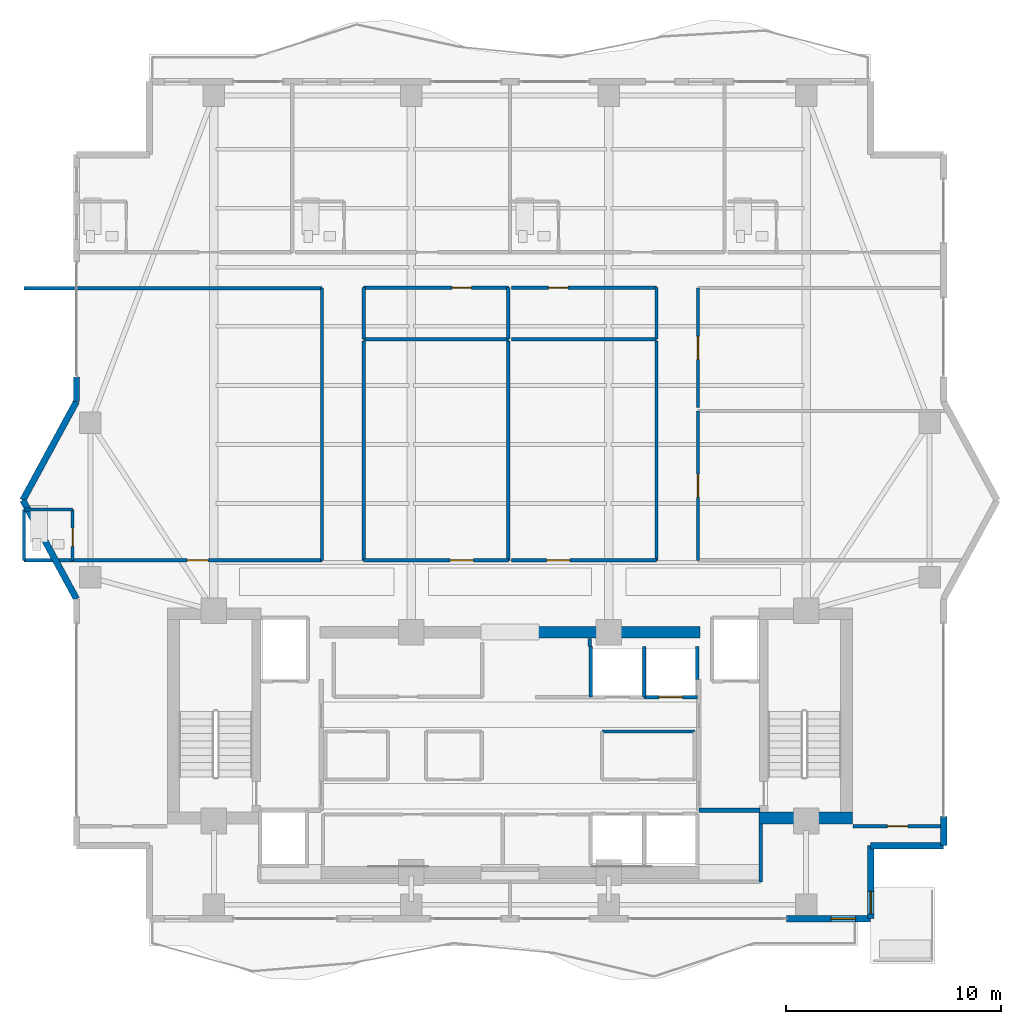
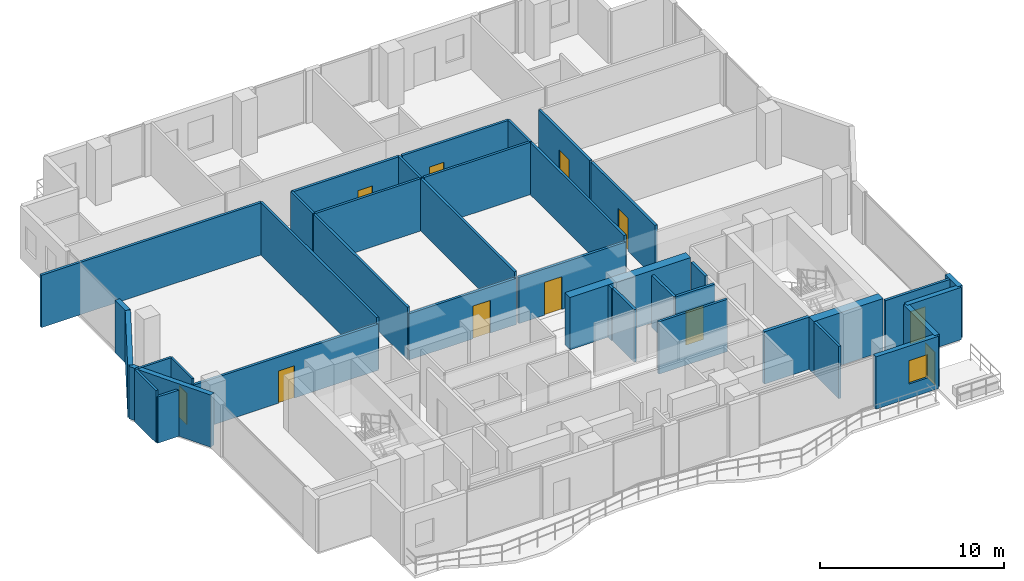
# One storey, part 20 of 25: 38 walls, 11 doors, 1 window, 12 openings.
"""IFC4 building model written with IfcOpenShell, lengths in metres."""

from ifc_helpers import new_model, si_unit, direction, frame, frame_2d, origin, place, context, subcontext, project, spatial, rectangle, extrude, material, layer, layer_set, type_object, element, fill, save


model = new_model("IFC4")

# Units and contexts
model_context = context("Model", 3, precision=1e-05, world=origin(), true_north=direction((0.0, 1.0)))
body_context = subcontext(model_context, "Body", "Model", "MODEL_VIEW")
ifc_project = project(units=[si_unit("LENGTHUNIT", "METRE"), si_unit("AREAUNIT", "SQUARE_METRE"), si_unit("VOLUMEUNIT", "CUBIC_METRE"), si_unit("PLANEANGLEUNIT", "RADIAN"), si_unit("MASSUNIT", "GRAM", prefix="KILO")], contexts=[model_context])

# Site, building, storey
site_placement = place(None, origin())
site = spatial("IfcSite", under=ifc_project, at=site_placement, CompositionType="ELEMENT")
building_placement = place(site_placement, origin())
building = spatial("IfcBuilding", under=site, at=building_placement, Name="Zuhayl Quay Hotel", CompositionType="ELEMENT")
storey_placement = place(building_placement, frame((0.0, 0.0, 258.14990234375)))
storey = spatial("IfcBuildingStorey", under=building, at=storey_placement, Name="L65", CompositionType="ELEMENT", Elevation=258.14990234375)

# Walls
ifc_material_1 = material(Name="Concrete C50/60", Category="concrete")
ifc_layer_1 = layer(ifc_material_1, 0.550048828125, Name="Concrete C50/60", Category="concrete")
ifc_layer_set_1 = layer_set([ifc_layer_1], Name="Concrete C50/60")
wall_type_1 = type_object("IfcWallType", Name="WL_CORE_550", PredefinedType="SHEAR", material=ifc_layer_set_1)
wall_1_placement = place(storey_placement, frame((11.60009765625, 4.695068359375, 0.0), z_axis=(0.0, 0.0, 1.0), x_axis=(1.0, 0.0, 0.0)))
element("IfcWall", 1, at=wall_1_placement, inside=storey, type_object=wall_type_1, Name="L65 Core Shear Wall CW_SE", PredefinedType="SHEAR", context=body_context, shape_type="SweptSolid", body=[
    extrude(rectangle(XDim=4.35986328125, YDim=0.550048828125, at=frame_2d((2.179931640625, 0.0))), origin(), (0.0, 0.0, 1.0), 3.510009765625),
])
wall_2_placement = place(storey_placement, frame((1.25, 13.35009765625, 0.0), z_axis=(0.0, 0.0, 1.0), x_axis=(1.0, 0.0, 0.0)))
element("IfcWall", 2, at=wall_2_placement, inside=storey, type_object=wall_type_1, Name="L65 Core Shear Wall CW_NC_E", PredefinedType="SHEAR", context=body_context, shape_type="SweptSolid", body=[
    extrude(rectangle(XDim=7.60009765625, YDim=0.550048828125, at=frame_2d((3.800048828125, 0.0))), origin(), (0.0, 0.0, 1.0), 3.47998046875),
])
ifc_material_2 = material(Name="Precast concrete C45/55", Category="concrete")
ifc_layer_2 = layer(ifc_material_2, 0.300048828125, Name="Precast concrete C45/55", Category="concrete")
ifc_layer_set_2 = layer_set([ifc_layer_2], Name="Precast concrete C45/55")
wall_type_2 = type_object("IfcWallType", Name="WL_EXT_300", PredefinedType="STANDARD", material=ifc_layer_set_2)
for number, where, z_axis, x_axis, name in (
    (3, (-20.199951171875, 14.89990234375, 0.0), (0.0, 0.0, 1.0), (-0.477505494629, 0.878628762675, 0.0), "L65 Exterior Precast Wall ENV_L65_EW03"),
    (4, (-22.699951171875, 19.5, 0.0), (0.0, 0.0, 1.0), (0.477505494629, 0.878628762675, 0.0), "L65 Exterior Precast Wall ENV_L65_EW04"),
):
    element("IfcWall", number, at=place(storey_placement, frame(where, z_axis=z_axis, x_axis=x_axis)), inside=storey, type_object=wall_type_2, Name=name, PredefinedType="STANDARD", context=body_context, shape_type="SweptSolid", body=[
        extrude(rectangle(XDim=5.235595703125, YDim=0.300048828125, at=frame_2d((2.61767578125, 0.0))), origin(), (0.0, 0.0, 1.0), 3.47998046875),
    ])
wall_3_placement = place(storey_placement, frame((-20.199951171875, 24.10009765625, 0.0), z_axis=(0.0, 0.0, 1.0), x_axis=(0.0, 1.0, 0.0)))
element("IfcWall", 5, at=wall_3_placement, inside=storey, type_object=wall_type_2, Name="L65 Exterior Precast Wall ENV_L65_E05_EW1", PredefinedType="STANDARD", context=body_context, shape_type="SweptSolid", body=[
    extrude(rectangle(XDim=1.14990234375, YDim=0.300048828125, at=frame_2d((0.574951171875, 0.0))), origin(), (0.0, 0.0, 1.0), 3.47998046875),
])
wall_4_placement = place(storey_placement, frame((20.199951171875, 4.75, 0.0), z_axis=(0.0, 0.0, 1.0), x_axis=(0.0, -1.0, 0.0)))
element("IfcWall", 6, at=wall_4_placement, inside=storey, type_object=wall_type_2, Name="L65 Exterior Precast Wall ENV_L65_E14_EW2", PredefinedType="STANDARD", context=body_context, shape_type="SweptSolid", body=[
    extrude(rectangle(XDim=1.35009765625, YDim=0.300048828125, at=frame_2d((0.675048828125, 0.0))), origin(), (0.0, 0.0, 1.0), 3.47998046875),
])
wall_5_placement = place(storey_placement, frame((20.199951171875, 3.39990234375, 0.0), z_axis=(0.0, 0.0, 1.0), x_axis=(-1.0, 0.0, 0.0)))
element("IfcWall", 7, at=wall_5_placement, inside=storey, type_object=wall_type_2, Name="L65 Exterior Precast Wall ENV_L65_EW15", PredefinedType="STANDARD", context=body_context, shape_type="SweptSolid", body=[
    extrude(rectangle(XDim=3.39990234375, YDim=0.300048828125, at=frame_2d((1.699951171875, 0.0))), origin(), (0.0, 0.0, 1.0), 3.47998046875),
])

# Wall, opening, door
wall_6_placement = place(storey_placement, frame((16.800048828125, 3.39990234375, 0.0), z_axis=(0.0, 0.0, 1.0), x_axis=(0.0, -1.0, 0.0)))
wall_6 = element("IfcWall", 8, at=wall_6_placement, inside=storey, type_object=wall_type_2, Name="L65 Exterior Precast Wall ENV_L65_SP_SE", PredefinedType="STANDARD", context=body_context, shape_type="SweptSolid", body=[
    extrude(rectangle(XDim=3.39990234375, YDim=0.300048828125, at=frame_2d((1.699951171875, 0.0))), origin(), (0.0, 0.0, 1.0), 3.47998046875),
])
opening_1_placement = place(wall_6_placement, frame((2.1298828125, 0.0, 0.0)))
opening_1 = element("IfcOpeningElement", 9, at=opening_1_placement, cuts=wall_6, Name="Opening DG1", PredefinedType="OPENING", context=body_context, shape_type="SweptSolid", body=[
    extrude(rectangle(XDim=1.050048828125, YDim=2.199951171875, at=frame_2d((0.52490234375, 1.10009765625))), frame((0.0, 0.159912109375, 0.0), z_axis=(0.0, -1.0, 0.0), x_axis=(1.0, 0.0, 0.0)), (0.0, 0.0, 1.0), 0.320068359375),
])
ifc_material_3 = material(Name="Anodised Aluminium and Dark Solar Glass", Category="aluminium")
door_type_1 = type_object("IfcDoorType", Name="DR_EXT_TERR_1050", OperationType="NOTDEFINED", PredefinedType="DOOR", material=ifc_material_3)
door_1_placement = place(opening_1_placement, origin())
door_1 = element("IfcDoor", 10, at=door_1_placement, inside=storey, type_object=door_type_1, Name="L65 Spiral Sky-Terrace SE Access Door", OperationType="SINGLE_SWING_LEFT", OverallHeight=2.199951171875, OverallWidth=1.050048828125, PredefinedType="DOOR", context=body_context, shape_type="SweptSolid", body=[
    extrude(rectangle(XDim=1.050048828125, YDim=2.199951171875, at=frame_2d((0.52490234375, 1.10009765625))), frame((0.0, 0.02490234375, 0.0), z_axis=(0.0, -1.0, 0.0), x_axis=(1.0, 0.0, 0.0)), (0.0, 0.0, 1.0), 0.050048828125),
])
fill(opening_1, door_1)

# Wall, opening, window
wall_7_placement = place(storey_placement, frame((16.800048828125, 0.0, 0.0), z_axis=(0.0, 0.0, 1.0), x_axis=(-1.0, 0.0, 0.0)))
wall_7 = element("IfcWall", 11, at=wall_7_placement, inside=storey, type_object=wall_type_2, Name="L65 Exterior Precast Wall ENV_L65_S_EW1", PredefinedType="STANDARD", context=body_context, shape_type="SweptSolid", body=[
    extrude(rectangle(XDim=3.920166015625, YDim=0.300048828125, at=frame_2d((1.9599609375, 0.0))), origin(), (0.0, 0.0, 1.0), 3.47998046875),
])
opening_2_placement = place(wall_7_placement, frame((0.695068359375, 0.0, 0.949951171875)))
opening_2 = element("IfcOpeningElement", 12, at=opening_2_placement, cuts=wall_7, Name="Opening W01N", PredefinedType="OPENING", context=body_context, shape_type="SweptSolid", body=[
    extrude(rectangle(XDim=1.14990234375, YDim=1.550048828125, at=frame_2d((0.574951171875, 0.77490234375))), frame((0.0, 0.159912109375, 0.0), z_axis=(0.0, -1.0, 0.0), x_axis=(1.0, 0.0, 0.0)), (0.0, 0.0, 1.0), 0.320068359375),
])
ifc_material_4 = material(Name="Dark Ceramic-Fritted Solar Glass", Category="glass")
window_type = type_object("IfcWindowType", Name="WN_NOTCH_1350", PartitioningType="SINGLE_PANEL", PredefinedType="WINDOW", material=ifc_material_4)
window_placement = place(opening_2_placement, origin())
window = element("IfcWindow", 13, at=window_placement, inside=storey, type_object=window_type, Name="L65 Operable Facade Window 1-1", OverallHeight=1.550048828125, OverallWidth=1.14990234375, PartitioningType="SINGLE_PANEL", PredefinedType="WINDOW", context=body_context, shape_type="SweptSolid", body=[
    extrude(rectangle(XDim=1.14990234375, YDim=1.550048828125, at=frame_2d((0.574951171875, 0.77490234375))), frame((0.0, 0.030029296875, 0.0), z_axis=(0.0, -1.0, 0.0), x_axis=(1.0, 0.0, 0.0)), (0.0, 0.0, 1.0), 0.06005859375),
])
fill(opening_2, window)

# Walls
ifc_material_5 = material(Name="Acoustic Gypsum Partition STC-58")
ifc_layer_3 = layer(ifc_material_5, 0.14990234375, Name="Acoustic Gypsum Partition STC-58")
ifc_layer_set_3 = layer_set([ifc_layer_3], Name="Acoustic Gypsum Partition STC-58")
wall_type_3 = type_object("IfcWallType", Name="WL_PART_150", PredefinedType="PARTITIONING", material=ifc_layer_set_3)
wall_8_placement = place(storey_placement, frame((4.2900390625, 8.719970703125, 0.0), z_axis=(0.0, 0.0, 1.0), x_axis=(1.0, 0.0, 0.0)))
element("IfcWall", 14, at=wall_8_placement, inside=storey, type_object=wall_type_3, Name="L65 Partition IW_L65_CORE_VL_N", PredefinedType="PARTITIONING", context=body_context, shape_type="SweptSolid", body=[
    extrude(rectangle(XDim=4.320068359375, YDim=0.14990234375, at=frame_2d((2.16015625, 0.0))), origin(), (0.0, 0.0, 1.0), 3.47998046875),
])
wall_9_placement = place(storey_placement, frame((3.719970703125, 12.679931640625, 0.0), z_axis=(0.0, 0.0, 1.0), x_axis=(0.0, 1.0, 0.0)))
element("IfcWall", 15, at=wall_9_placement, inside=storey, type_object=wall_type_3, Name="L65 Partition IW_L65_VEST_MP4_E", PredefinedType="PARTITIONING", context=body_context, shape_type="SweptSolid", body=[
    extrude(rectangle(XDim=0.3701171875, YDim=0.14990234375, at=frame_2d((0.18505859375, 0.0))), origin(), (0.0, 0.0, 1.0), 3.47998046875),
])
wall_10_placement = place(storey_placement, frame((11.679931640625, 1.719970703125, 0.0), z_axis=(0.0, 0.0, 1.0), x_axis=(0.0, 1.0, 0.0)))
element("IfcWall", 16, at=wall_10_placement, inside=storey, type_object=wall_type_3, Name="L65 Partition IW_L65_Z4_SUN_SE_IN", PredefinedType="PARTITIONING", context=body_context, shape_type="SweptSolid", body=[
    extrude(rectangle(XDim=2.699951171875, YDim=0.14990234375, at=frame_2d((1.35009765625, 0.0))), origin(), (0.0, 0.0, 1.0), 3.47998046875),
])
wall_11_placement = place(storey_placement, frame((-6.820068359375, 27.0, 0.0), z_axis=(0.0, 0.0, 1.0), x_axis=(1.0, 0.0, 0.0)))
element("IfcWall", 17, at=wall_11_placement, inside=storey, type_object=wall_type_3, Name="L65 Partition IW_L65_HK_MAIN_S", PredefinedType="PARTITIONING", context=body_context, shape_type="SweptSolid", body=[
    extrude(rectangle(XDim=6.739990234375, YDim=0.14990234375, at=frame_2d((3.3701171875, 0.0))), origin(), (0.0, 0.0, 1.0), 3.47998046875),
])
for number, where, z_axis, x_axis, name in (
    (18, (-6.820068359375, 27.0, 0.0), (0.0, 0.0, 1.0), (0.0, 1.0, 0.0), "L65 Partition IW_L65_HK_MAIN_W"),
    (19, (-0.080078125, 27.0, 0.0), (0.0, 0.0, 1.0), (0.0, 1.0, 0.0), "L65 Partition IW_L65_HK_MAIN_E"),
):
    element("IfcWall", number, at=place(storey_placement, frame(where, z_axis=z_axis, x_axis=x_axis)), inside=storey, type_object=wall_type_3, Name=name, PredefinedType="PARTITIONING", context=body_context, shape_type="SweptSolid", body=[
        extrude(rectangle(XDim=2.39990234375, YDim=0.14990234375, at=frame_2d((1.199951171875, 0.0))), origin(), (0.0, 0.0, 1.0), 3.47998046875),
    ])
wall_12_placement = place(storey_placement, frame((0.080078125, 27.0, 0.0), z_axis=(0.0, 0.0, 1.0), x_axis=(1.0, 0.0, 0.0)))
element("IfcWall", 20, at=wall_12_placement, inside=storey, type_object=wall_type_3, Name="L65 Partition IW_L65_TEA_MAIN_S", PredefinedType="PARTITIONING", context=body_context, shape_type="SweptSolid", body=[
    extrude(rectangle(XDim=6.739990234375, YDim=0.14990234375, at=frame_2d((3.3701171875, 0.0))), origin(), (0.0, 0.0, 1.0), 3.47998046875),
])
wall_13_placement = place(storey_placement, frame((6.820068359375, 27.0, 0.0), z_axis=(0.0, 0.0, 1.0), x_axis=(0.0, 1.0, 0.0)))
element("IfcWall", 21, at=wall_13_placement, inside=storey, type_object=wall_type_3, Name="L65 Partition IW_L65_TEA_MAIN_E", PredefinedType="PARTITIONING", context=body_context, shape_type="SweptSolid", body=[
    extrude(rectangle(XDim=2.39990234375, YDim=0.14990234375, at=frame_2d((1.199951171875, 0.0))), origin(), (0.0, 0.0, 1.0), 3.47998046875),
])
for number, where, z_axis, x_axis, name in (
    (22, (-6.820068359375, 16.699951171875, 0.0), (0.0, 0.0, 1.0), (0.0, 1.0, 0.0), "L65 Partition IW_L65_Z4_C1_W"),
    (23, (-0.080078125, 16.699951171875, 0.0), (0.0, 0.0, 1.0), (0.0, 1.0, 0.0), "L65 Partition IW_L65_Z4_C1_E"),
    (24, (6.820068359375, 16.699951171875, 0.0), (0.0, 0.0, 1.0), (0.0, 1.0, 0.0), "L65 Partition IW_L65_Z4_C2_E"),
):
    element("IfcWall", number, at=place(storey_placement, frame(where, z_axis=z_axis, x_axis=x_axis)), inside=storey, type_object=wall_type_3, Name=name, PredefinedType="PARTITIONING", context=body_context, shape_type="SweptSolid", body=[
        extrude(rectangle(XDim=10.219970703125, YDim=0.14990234375, at=frame_2d((5.10986328125, 0.0))), origin(), (0.0, 0.0, 1.0), 3.47998046875),
    ])
wall_14_placement = place(storey_placement, frame((-8.760009765625, 16.699951171875, 0.0), z_axis=(0.0, 0.0, 1.0), x_axis=(0.0, 1.0, 0.0)))
element("IfcWall", 25, at=wall_14_placement, inside=storey, type_object=wall_type_3, Name="L65 Partition IW_L65_WU01_E", PredefinedType="PARTITIONING", context=body_context, shape_type="SweptSolid", body=[
    extrude(rectangle(XDim=12.679931640625, YDim=0.14990234375, at=frame_2d((6.33984375, 0.0))), origin(), (0.0, 0.0, 1.0), 3.47998046875),
])

# Wall, opening, door
ifc_layer_4 = layer(ifc_material_5, 0.159912109375, Name="Acoustic Gypsum Partition STC-58")
ifc_layer_set_4 = layer_set([ifc_layer_4], Name="Acoustic Gypsum Partition STC-58")
wall_type_4 = type_object("IfcWallType", Name="WL_PART_CORR_160", PredefinedType="PARTITIONING", material=ifc_layer_set_4)
wall_15_placement = place(storey_placement, frame((15.97998046875, 4.300048828125, 0.0), z_axis=(0.0, 0.0, 1.0), x_axis=(1.0, 0.0, 0.0)))
wall_15 = element("IfcWall", 26, at=wall_15_placement, inside=storey, type_object=wall_type_4, Name="L65 Partition IW_L65_Z4_SUN_SE_N", PredefinedType="PARTITIONING", context=body_context, shape_type="SweptSolid", body=[
    extrude(rectangle(XDim=4.159912109375, YDim=0.159912109375, at=frame_2d((2.080078125, 0.0))), origin(), (0.0, 0.0, 1.0), 3.47998046875),
])
opening_3_placement = place(wall_15_placement, frame((1.60498046875, 0.0, 0.0)))
opening_3 = element("IfcOpeningElement", 27, at=opening_3_placement, cuts=wall_15, Name="Opening D03", PredefinedType="OPENING", context=body_context, shape_type="SweptSolid", body=[
    extrude(rectangle(XDim=0.949951171875, YDim=2.14990234375, at=frame_2d((0.47509765625, 1.074951171875))), frame((0.0, 0.08984375, 0.0), z_axis=(0.0, -1.0, 0.0), x_axis=(1.0, 0.0, 0.0)), (0.0, 0.0, 1.0), 0.179931640625),
])
ifc_material_6 = material(Name="Solid Walnut Acoustic Fire Door")
door_type_2 = type_object("IfcDoorType", Name="DR_SUITE_950", OperationType="NOTDEFINED", PredefinedType="DOOR", material=ifc_material_6)
door_2_placement = place(opening_3_placement, origin())
door_2 = element("IfcDoor", 28, at=door_2_placement, inside=storey, type_object=door_type_2, Name="L65 Sunset Salon SE Door", OperationType="SINGLE_SWING_LEFT", OverallHeight=2.14990234375, OverallWidth=0.949951171875, PredefinedType="DOOR", context=body_context, shape_type="SweptSolid", body=[
    extrude(rectangle(XDim=0.949951171875, YDim=2.14990234375, at=frame_2d((0.47509765625, 1.074951171875))), frame((0.0, 0.02490234375, 0.0), z_axis=(0.0, -1.0, 0.0), x_axis=(1.0, 0.0, 0.0)), (0.0, 0.0, 1.0), 0.050048828125),
])
fill(opening_3, door_2)

wall_16_placement = place(storey_placement, frame((-6.820068359375, 29.39990234375, 0.0), z_axis=(0.0, 0.0, 1.0), x_axis=(1.0, 0.0, 0.0)))
wall_16 = element("IfcWall", 29, at=wall_16_placement, inside=storey, type_object=wall_type_4, Name="L65 Partition IW_L65_HK_MAIN_N", PredefinedType="PARTITIONING", context=body_context, shape_type="SweptSolid", body=[
    extrude(rectangle(XDim=6.739990234375, YDim=0.159912109375, at=frame_2d((3.3701171875, 0.0))), origin(), (0.0, 0.0, 1.0), 3.47998046875),
])
opening_4_placement = place(wall_16_placement, frame((4.110107421875, 0.0, 0.0)))
opening_4 = element("IfcOpeningElement", 30, at=opening_4_placement, cuts=wall_16, Name="Opening D05", PredefinedType="OPENING", context=body_context, shape_type="SweptSolid", body=[
    extrude(rectangle(XDim=0.919921875, YDim=2.1201171875, at=frame_2d((0.4599609375, 1.06005859375))), frame((0.0, 0.08984375, 0.0), z_axis=(0.0, -1.0, 0.0), x_axis=(1.0, 0.0, 0.0)), (0.0, 0.0, 1.0), 0.179931640625),
])
door_type_3 = type_object("IfcDoorType", Name="DR_INT_950", OperationType="NOTDEFINED", PredefinedType="DOOR", material=ifc_material_6)
door_3_placement = place(opening_4_placement, origin())
door_3 = element("IfcDoor", 31, at=door_3_placement, inside=storey, type_object=door_type_3, Name="L65 Housekeeping and Linen Room Door", OperationType="SINGLE_SWING_RIGHT", OverallHeight=2.1201171875, OverallWidth=0.919921875, PredefinedType="DOOR", context=body_context, shape_type="SweptSolid", body=[
    extrude(rectangle(XDim=0.919921875, YDim=2.1201171875, at=frame_2d((0.4599609375, 1.06005859375))), frame((0.0, 0.02490234375, 0.0), z_axis=(0.0, -1.0, 0.0), x_axis=(1.0, 0.0, 0.0)), (0.0, 0.0, 1.0), 0.050048828125),
])
fill(opening_4, door_3)

wall_17_placement = place(storey_placement, frame((0.080078125, 29.39990234375, 0.0), z_axis=(0.0, 0.0, 1.0), x_axis=(1.0, 0.0, 0.0)))
wall_17 = element("IfcWall", 32, at=wall_17_placement, inside=storey, type_object=wall_type_4, Name="L65 Partition IW_L65_TEA_MAIN_N", PredefinedType="PARTITIONING", context=body_context, shape_type="SweptSolid", body=[
    extrude(rectangle(XDim=6.739990234375, YDim=0.159912109375, at=frame_2d((3.3701171875, 0.0))), origin(), (0.0, 0.0, 1.0), 3.47998046875),
])
opening_5_placement = place(wall_17_placement, frame((1.7099609375, 0.0, 0.0)))
opening_5 = element("IfcOpeningElement", 33, at=opening_5_placement, cuts=wall_17, Name="Opening D05", PredefinedType="OPENING", context=body_context, shape_type="SweptSolid", body=[
    extrude(rectangle(XDim=0.919921875, YDim=2.1201171875, at=frame_2d((0.4599609375, 1.06005859375))), frame((0.0, 0.08984375, 0.0), z_axis=(0.0, -1.0, 0.0), x_axis=(1.0, 0.0, 0.0)), (0.0, 0.0, 1.0), 0.179931640625),
])
door_4_placement = place(opening_5_placement, origin())
door_4 = element("IfcDoor", 34, at=door_4_placement, inside=storey, type_object=door_type_3, Name="L65 Floor Beverage Pantry Door", OperationType="SINGLE_SWING_LEFT", OverallHeight=2.1201171875, OverallWidth=0.919921875, PredefinedType="DOOR", context=body_context, shape_type="SweptSolid", body=[
    extrude(rectangle(XDim=0.919921875, YDim=2.1201171875, at=frame_2d((0.4599609375, 1.06005859375))), frame((0.0, 0.02490234375, 0.0), z_axis=(0.0, -1.0, 0.0), x_axis=(1.0, 0.0, 0.0)), (0.0, 0.0, 1.0), 0.050048828125),
])
fill(opening_5, door_4)

wall_18_placement = place(storey_placement, frame((-6.820068359375, 16.699951171875, 0.0), z_axis=(0.0, 0.0, 1.0), x_axis=(1.0, 0.0, 0.0)))
wall_18 = element("IfcWall", 35, at=wall_18_placement, inside=storey, type_object=wall_type_4, Name="L65 Partition IW_L65_Z4_C1_S", PredefinedType="PARTITIONING", context=body_context, shape_type="SweptSolid", body=[
    extrude(rectangle(XDim=6.739990234375, YDim=0.159912109375, at=frame_2d((3.3701171875, 0.0))), origin(), (0.0, 0.0, 1.0), 3.076171875),
])
opening_6_placement = place(wall_18_placement, frame((4.030029296875, 0.0, 0.0)))
opening_6 = element("IfcOpeningElement", 36, at=opening_6_placement, cuts=wall_18, Name="Opening D05A", PredefinedType="OPENING", context=body_context, shape_type="SweptSolid", body=[
    extrude(rectangle(XDim=1.080078125, YDim=2.179931640625, at=frame_2d((0.5400390625, 1.08984375))), frame((0.0, 0.08984375, 0.0), z_axis=(0.0, -1.0, 0.0), x_axis=(1.0, 0.0, 0.0)), (0.0, 0.0, 1.0), 0.179931640625),
])
door_type_4 = type_object("IfcDoorType", Name="DR_INT_1100", OperationType="NOTDEFINED", PredefinedType="DOOR", material=ifc_material_6)
door_5_placement = place(opening_6_placement, origin())
door_5 = element("IfcDoor", 37, at=door_5_placement, inside=storey, type_object=door_type_4, Name="L65 Presidential Dining Room Door", OperationType="SINGLE_SWING_RIGHT", OverallHeight=2.179931640625, OverallWidth=1.080078125, PredefinedType="DOOR", context=body_context, shape_type="SweptSolid", body=[
    extrude(rectangle(XDim=1.080078125, YDim=2.179931640625, at=frame_2d((0.5400390625, 1.08984375))), frame((0.0, 0.02490234375, 0.0), z_axis=(0.0, -1.0, 0.0), x_axis=(1.0, 0.0, 0.0)), (0.0, 0.0, 1.0), 0.050048828125),
])
fill(opening_6, door_5)

wall_19_placement = place(storey_placement, frame((0.080078125, 16.699951171875, 0.0), z_axis=(0.0, 0.0, 1.0), x_axis=(1.0, 0.0, 0.0)))
wall_19 = element("IfcWall", 38, at=wall_19_placement, inside=storey, type_object=wall_type_4, Name="L65 Partition IW_L65_Z4_C2_S", PredefinedType="PARTITIONING", context=body_context, shape_type="SweptSolid", body=[
    extrude(rectangle(XDim=6.739990234375, YDim=0.159912109375, at=frame_2d((3.3701171875, 0.0))), origin(), (0.0, 0.0, 1.0), 3.076171875),
])
opening_7_placement = place(wall_19_placement, frame((1.6298828125, 0.0, 0.0)))
opening_7 = element("IfcOpeningElement", 39, at=opening_7_placement, cuts=wall_19, Name="Opening D05A", PredefinedType="OPENING", context=body_context, shape_type="SweptSolid", body=[
    extrude(rectangle(XDim=1.080078125, YDim=2.179931640625, at=frame_2d((0.5400390625, 1.08984375))), frame((0.0, 0.08984375, 0.0), z_axis=(0.0, -1.0, 0.0), x_axis=(1.0, 0.0, 0.0)), (0.0, 0.0, 1.0), 0.179931640625),
])
door_6_placement = place(opening_7_placement, origin())
door_6 = element("IfcDoor", 40, at=door_6_placement, inside=storey, type_object=door_type_4, Name="L65 Presidential Reading Library Door", OperationType="SINGLE_SWING_LEFT", OverallHeight=2.179931640625, OverallWidth=1.080078125, PredefinedType="DOOR", context=body_context, shape_type="SweptSolid", body=[
    extrude(rectangle(XDim=1.080078125, YDim=2.179931640625, at=frame_2d((0.5400390625, 1.08984375))), frame((0.0, 0.02490234375, 0.0), z_axis=(0.0, -1.0, 0.0), x_axis=(1.0, 0.0, 0.0)), (0.0, 0.0, 1.0), 0.050048828125),
])
fill(opening_7, door_6)

wall_20_placement = place(storey_placement, frame((-22.639892578125, 16.699951171875, 0.0), z_axis=(0.0, 0.0, 1.0), x_axis=(1.0, 0.0, 0.0)))
wall_20 = element("IfcWall", 41, at=wall_20_placement, inside=storey, type_object=wall_type_4, Name="L65 Partition IW_L65_WU01_COR", PredefinedType="PARTITIONING", context=body_context, shape_type="SweptSolid", body=[
    extrude(rectangle(XDim=13.8798828125, YDim=0.159912109375, at=frame_2d((6.93994140625, 0.0))), origin(), (0.0, 0.0, 1.0), 3.076171875),
])
opening_8_placement = place(wall_20_placement, frame((7.590087890625, 0.0, 0.0)))
opening_8 = element("IfcOpeningElement", 42, at=opening_8_placement, cuts=wall_20, Name="Opening D03L", PredefinedType="OPENING", context=body_context, shape_type="SweptSolid", body=[
    extrude(rectangle(XDim=1.0, YDim=2.14990234375, at=frame_2d((0.5, 1.074951171875))), frame((0.0, 0.08984375, 0.0), z_axis=(0.0, -1.0, 0.0), x_axis=(1.0, 0.0, 0.0)), (0.0, 0.0, 1.0), 0.179931640625),
])
door_type_5 = type_object("IfcDoorType", Name="DR_SUITE_1000", OperationType="NOTDEFINED", PredefinedType="DOOR", material=ifc_material_6)
door_7_placement = place(opening_8_placement, origin())
door_7 = element("IfcDoor", 43, at=door_7_placement, inside=storey, type_object=door_type_5, Name="L65 Presidential West Suite L65 Entrance Door", OperationType="SINGLE_SWING_LEFT", OverallHeight=2.14990234375, OverallWidth=1.0, PredefinedType="DOOR", context=body_context, shape_type="SweptSolid", body=[
    extrude(rectangle(XDim=1.0, YDim=2.14990234375, at=frame_2d((0.5, 1.074951171875))), frame((0.0, 0.02490234375, 0.0), z_axis=(0.0, -1.0, 0.0), x_axis=(1.0, 0.0, 0.0)), (0.0, 0.0, 1.0), 0.050048828125),
])
fill(opening_8, door_7)

wall_21_placement = place(storey_placement, frame((8.760009765625, 16.699951171875, 0.0), z_axis=(0.0, 0.0, 1.0), x_axis=(0.0, 1.0, 0.0)))
wall_21 = element("IfcWall", 44, at=wall_21_placement, inside=storey, type_object=wall_type_4, Name="L65 Partition IW_L65_Z4_E1_W", PredefinedType="PARTITIONING", context=body_context, shape_type="SweptSolid", body=[
    extrude(rectangle(XDim=6.949951171875, YDim=0.159912109375, at=frame_2d((3.47509765625, 0.0))), origin(), (0.0, 0.0, 1.0), 3.47998046875),
])
opening_9_placement = place(wall_21_placement, frame((2.93505859375, 0.0, 0.0)))
opening_9 = element("IfcOpeningElement", 45, at=opening_9_placement, cuts=wall_21, Name="Opening D05A", PredefinedType="OPENING", context=body_context, shape_type="SweptSolid", body=[
    extrude(rectangle(XDim=1.080078125, YDim=2.179931640625, at=frame_2d((0.5400390625, 1.08984375))), frame((0.0, 0.08984375, 0.0), z_axis=(0.0, -1.0, 0.0), x_axis=(1.0, 0.0, 0.0)), (0.0, 0.0, 1.0), 0.179931640625),
])
door_8_placement = place(opening_9_placement, origin())
door_8 = element("IfcDoor", 46, at=door_8_placement, inside=storey, type_object=door_type_4, Name="L65 East Diplomatic Dining Room Door", OperationType="SINGLE_SWING_RIGHT", OverallHeight=2.179931640625, OverallWidth=1.080078125, PredefinedType="DOOR", context=body_context, shape_type="SweptSolid", body=[
    extrude(rectangle(XDim=1.080078125, YDim=2.179931640625, at=frame_2d((0.5400390625, 1.08984375))), frame((0.0, 0.02490234375, 0.0), z_axis=(0.0, -1.0, 0.0), x_axis=(1.0, 0.0, 0.0)), (0.0, 0.0, 1.0), 0.050048828125),
])
fill(opening_9, door_8)

wall_22_placement = place(storey_placement, frame((8.760009765625, 23.81005859375, 0.0), z_axis=(0.0, 0.0, 1.0), x_axis=(0.0, 1.0, 0.0)))
wall_22 = element("IfcWall", 47, at=wall_22_placement, inside=storey, type_object=wall_type_4, Name="L65 Partition IW_L65_Z4_E2_W", PredefinedType="PARTITIONING", context=body_context, shape_type="SweptSolid", body=[
    extrude(rectangle(XDim=5.56982421875, YDim=0.159912109375, at=frame_2d((2.784912109375, 0.0))), origin(), (0.0, 0.0, 1.0), 3.47998046875),
])
opening_10_placement = place(wall_22_placement, frame((2.2451171875, 0.0, 0.0)))
opening_10 = element("IfcOpeningElement", 48, at=opening_10_placement, cuts=wall_22, Name="Opening D05A", PredefinedType="OPENING", context=body_context, shape_type="SweptSolid", body=[
    extrude(rectangle(XDim=1.080078125, YDim=2.179931640625, at=frame_2d((0.5400390625, 1.08984375))), frame((0.0, 0.08984375, 0.0), z_axis=(0.0, -1.0, 0.0), x_axis=(1.0, 0.0, 0.0)), (0.0, 0.0, 1.0), 0.179931640625),
])
door_9_placement = place(opening_10_placement, origin())
door_9 = element("IfcDoor", 49, at=door_9_placement, inside=storey, type_object=door_type_4, Name="L65 East Envoy Lounge Door", OperationType="SINGLE_SWING_LEFT", OverallHeight=2.179931640625, OverallWidth=1.080078125, PredefinedType="DOOR", context=body_context, shape_type="SweptSolid", body=[
    extrude(rectangle(XDim=1.080078125, YDim=2.179931640625, at=frame_2d((0.5400390625, 1.08984375))), frame((0.0, 0.02490234375, 0.0), z_axis=(0.0, -1.0, 0.0), x_axis=(1.0, 0.0, 0.0)), (0.0, 0.0, 1.0), 0.050048828125),
])
fill(opening_10, door_9)

# Wall
wall_23_placement = place(storey_placement, frame((-22.639892578125, 29.3798828125, 0.0), z_axis=(0.0, 0.0, 1.0), x_axis=(1.0, 0.0, 0.0)))
element("IfcWall", 50, at=wall_23_placement, inside=storey, type_object=wall_type_4, Name="L65 Partition IW_L65_WU01_BK", PredefinedType="PARTITIONING", context=body_context, shape_type="SweptSolid", body=[
    extrude(rectangle(XDim=13.8798828125, YDim=0.159912109375, at=frame_2d((6.93994140625, 0.0))), origin(), (0.0, 0.0, 1.0), 3.47998046875),
])

# Wall, opening, door
ifc_material_7 = material(Name="Moisture-Resistant Sanitarychase Gypsum")
ifc_layer_5 = layer(ifc_material_7, 0.135009765625, Name="Moisture-Resistant Sanitarychase Gypsum")
ifc_layer_set_5 = layer_set([ifc_layer_5], Name="Moisture-Resistant Sanitarychase Gypsum")
wall_type_5 = type_object("IfcWallType", Name="WL_PART_PLUMB_150", PredefinedType="PLUMBINGWALL", material=ifc_layer_set_5)
wall_24_placement = place(storey_placement, frame((-20.3798828125, 16.699951171875, 0.0), z_axis=(0.0, 0.0, 1.0), x_axis=(0.0, 1.0, 0.0)))
wall_24 = element("IfcWall", 51, at=wall_24_placement, inside=storey, type_object=wall_type_5, Name="L65 Partition IW_L65_WU01_BE", PredefinedType="PLUMBINGWALL", context=body_context, shape_type="SweptSolid", body=[
    extrude(rectangle(XDim=2.360107421875, YDim=0.135009765625, at=frame_2d((1.18017578125, 0.0))), origin(), (0.0, 0.0, 1.0), 3.47998046875),
])
opening_11_placement = place(wall_24_placement, frame((0.64990234375, 0.0, 0.0)))
opening_11 = element("IfcOpeningElement", 52, at=opening_11_placement, cuts=wall_24, Name="Opening D04", PredefinedType="OPENING", context=body_context, shape_type="SweptSolid", body=[
    extrude(rectangle(XDim=0.85009765625, YDim=2.10009765625, at=frame_2d((0.425048828125, 1.050048828125))), frame((0.0, 0.077392578125, 0.0), z_axis=(0.0, -1.0, 0.0), x_axis=(1.0, 0.0, 0.0)), (0.0, 0.0, 1.0), 0.155029296875),
])
ifc_material_8 = material(Name="Moisture-Resistant Walnut Veneer")
door_type_6 = type_object("IfcDoorType", Name="DR_BATH_850", OperationType="NOTDEFINED", PredefinedType="DOOR", material=ifc_material_8)
door_10_placement = place(opening_11_placement, origin())
door_10 = element("IfcDoor", 53, at=door_10_placement, inside=storey, type_object=door_type_6, Name="L65 Presidential West Suite L65 En-Suite Door", OperationType="SINGLE_SWING_RIGHT", OverallHeight=2.10009765625, OverallWidth=0.85009765625, PredefinedType="DOOR", context=body_context, shape_type="SweptSolid", body=[
    extrude(rectangle(XDim=0.85009765625, YDim=2.10009765625, at=frame_2d((0.425048828125, 1.050048828125))), frame((0.0, 0.02490234375, 0.0), z_axis=(0.0, -1.0, 0.0), x_axis=(1.0, 0.0, 0.0)), (0.0, 0.0, 1.0), 0.050048828125),
])
fill(opening_11, door_10)

# Walls
wall_25_placement = place(storey_placement, frame((-22.639892578125, 19.06005859375, 0.0), z_axis=(0.0, 0.0, 1.0), x_axis=(1.0, 0.0, 0.0)))
element("IfcWall", 54, at=wall_25_placement, inside=storey, type_object=wall_type_5, Name="L65 Partition IW_L65_WU01_BN", PredefinedType="PLUMBINGWALL", context=body_context, shape_type="SweptSolid", body=[
    extrude(rectangle(XDim=2.260009765625, YDim=0.135009765625, at=frame_2d((1.1298828125, 0.0))), origin(), (0.0, 0.0, 1.0), 3.47998046875),
])
wall_26_placement = place(storey_placement, frame((-22.639892578125, 16.699951171875, 0.0), z_axis=(0.0, 0.0, 1.0), x_axis=(0.0, 1.0, 0.0)))
element("IfcWall", 55, at=wall_26_placement, inside=storey, type_object=wall_type_5, Name="L65 Partition IW_L65_WU01_BW", PredefinedType="PLUMBINGWALL", context=body_context, shape_type="SweptSolid", body=[
    extrude(rectangle(XDim=2.360107421875, YDim=0.135009765625, at=frame_2d((1.18017578125, 0.0))), origin(), (0.0, 0.0, 1.0), 3.47998046875),
])

# Wall, opening, door
ifc_material_9 = material(Name="Gypsum Fireboard Assembly EI-90")
ifc_layer_6 = layer(ifc_material_9, 0.1650390625, Name="Gypsum Fireboard Assembly EI-90")
ifc_layer_set_6 = layer_set([ifc_layer_6], Name="Gypsum Fireboard Assembly EI-90")
wall_type_6 = type_object("IfcWallType", Name="WL_PART_SHAFT_160", PredefinedType="PARTITIONING", material=ifc_layer_set_6)
wall_27_placement = place(storey_placement, frame((6.25, 10.320068359375, 0.0), z_axis=(0.0, 0.0, 1.0), x_axis=(1.0, 0.0, 0.0)))
wall_27 = element("IfcWall", 56, at=wall_27_placement, inside=storey, type_object=wall_type_6, Name="L65 Partition IW_L65_SH_HP4_F", PredefinedType="PARTITIONING", context=body_context, shape_type="SweptSolid", body=[
    extrude(rectangle(XDim=2.47998046875, YDim=0.1650390625, at=frame_2d((1.239990234375, 0.0))), origin(), (0.0, 0.0, 1.0), 3.47998046875),
])
opening_12_placement = place(wall_27_placement, frame((0.68994140625, 0.0, 0.0)))
opening_12 = element("IfcOpeningElement", 57, at=opening_12_placement, cuts=wall_27, Name="Opening LD1", PredefinedType="OPENING", context=body_context, shape_type="SweptSolid", body=[
    extrude(rectangle(XDim=1.10009765625, YDim=2.25, at=frame_2d((0.550048828125, 1.125))), frame((0.0, 0.092529296875, 0.0), z_axis=(0.0, -1.0, 0.0), x_axis=(1.0, 0.0, 0.0)), (0.0, 0.0, 1.0), 0.18505859375),
])
ifc_material_10 = material(Name="Brushed Stainless Steel", Category="steel")
door_type_7 = type_object("IfcDoorType", Name="DR_LIFT_PASS_1100", OperationType="SLIDING_TO_LEFT", PredefinedType="DOOR", material=ifc_material_10)
door_11_placement = place(opening_12_placement, origin())
door_11 = element("IfcDoor", 58, at=door_11_placement, inside=storey, type_object=door_type_7, Name="L65 Lift HP4 Sliding Landing Door", OperationType="SLIDING_TO_LEFT", OverallHeight=2.25, OverallWidth=1.10009765625, PredefinedType="DOOR", context=body_context, shape_type="SweptSolid", body=[
    extrude(rectangle(XDim=1.10009765625, YDim=2.25, at=frame_2d((0.550048828125, 1.125))), frame((0.0, 0.02490234375, 0.0), z_axis=(0.0, -1.0, 0.0), x_axis=(1.0, 0.0, 0.0)), (0.0, 0.0, 1.0), 0.050048828125),
])
fill(opening_12, door_11)

# Walls
for number, where, z_axis, x_axis, name in (
    (59, (3.77001953125, 10.320068359375, 0.0), (0.0, 0.0, 1.0), (0.0, 1.0, 0.0), "L65 Partition IW_L65_SH_HP3_W"),
    (60, (6.25, 10.320068359375, 0.0), (0.0, 0.0, 1.0), (0.0, 1.0, 0.0), "L65 Partition IW_L65_SH_HP3_E"),
):
    element("IfcWall", number, at=place(storey_placement, frame(where, z_axis=z_axis, x_axis=x_axis)), inside=storey, type_object=wall_type_6, Name=name, PredefinedType="PARTITIONING", context=body_context, shape_type="SweptSolid", body=[
        extrude(rectangle(XDim=2.35986328125, YDim=0.1650390625, at=frame_2d((1.179931640625, 0.0))), origin(), (0.0, 0.0, 1.0), 3.47998046875),
    ])
wall_28_placement = place(storey_placement, frame((8.72998046875, 11.14990234375, 0.0), z_axis=(0.0, 0.0, 1.0), x_axis=(0.0, 1.0, 0.0)))
element("IfcWall", 61, at=wall_28_placement, inside=storey, type_object=wall_type_6, Name="L65 Partition IW_L65_SH_HP4_E", PredefinedType="PARTITIONING", context=body_context, shape_type="SweptSolid", body=[
    extrude(rectangle(XDim=1.530029296875, YDim=0.1650390625, at=frame_2d((0.76513671875, 0.0))), origin(), (0.0, 0.0, 1.0), 3.47998046875),
])
ifc_material_11 = material(Name="Gypsum Fireboard Assembly EI-120")
ifc_layer_7 = layer(ifc_material_11, 0.199951171875, Name="Gypsum Fireboard Assembly EI-120")
ifc_layer_set_7 = layer_set([ifc_layer_7], Name="Gypsum Fireboard Assembly EI-120")
wall_type_7 = type_object("IfcWallType", Name="WL_PART_SHAFT_200", PredefinedType="PARTITIONING", material=ifc_layer_set_7)
wall_29_placement = place(storey_placement, frame((8.800048828125, 5.050048828125, 0.0), z_axis=(0.0, 0.0, 1.0), x_axis=(1.0, 0.0, 0.0)))
element("IfcWall", 62, at=wall_29_placement, inside=storey, type_object=wall_type_7, Name="L65 Partition IW_L65_FSAE_E_S", PredefinedType="PARTITIONING", context=body_context, shape_type="SweptSolid", body=[
    extrude(rectangle(XDim=2.849853515625, YDim=0.199951171875, at=frame_2d((1.4248046875, 0.0))), origin(), (0.0, 0.0, 1.0), 3.47998046875),
])

save(model, "model.ifc")
